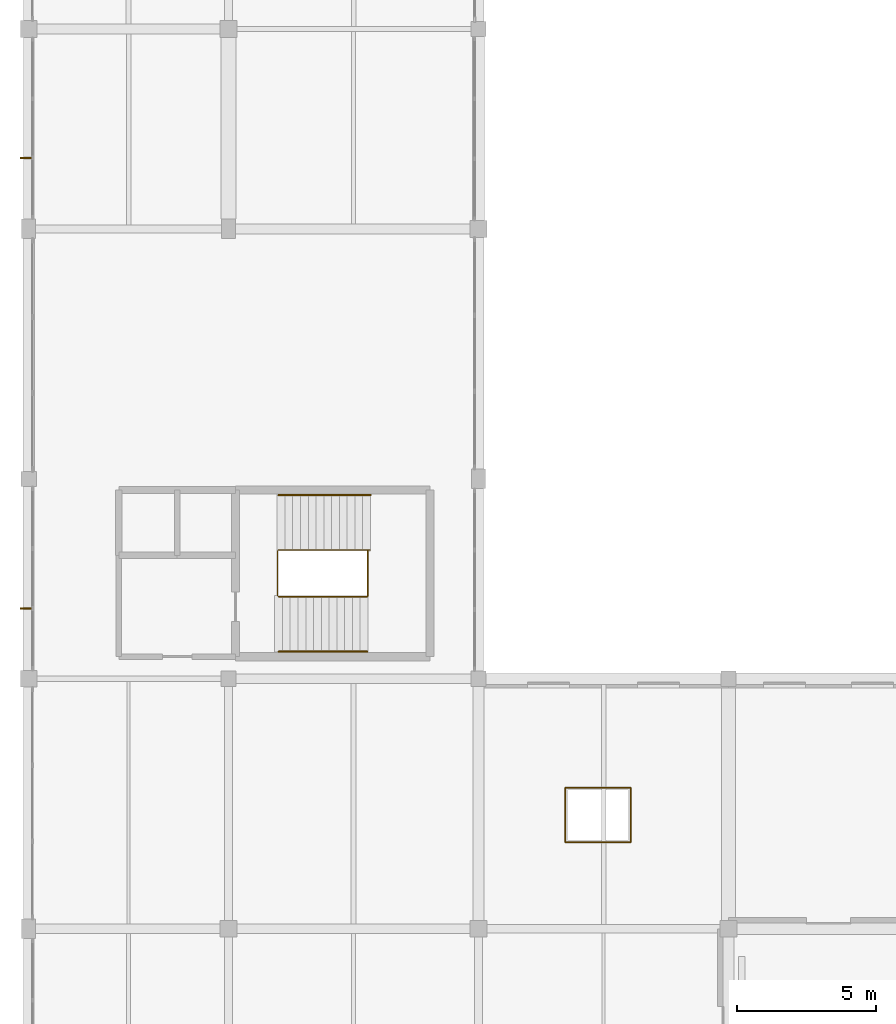
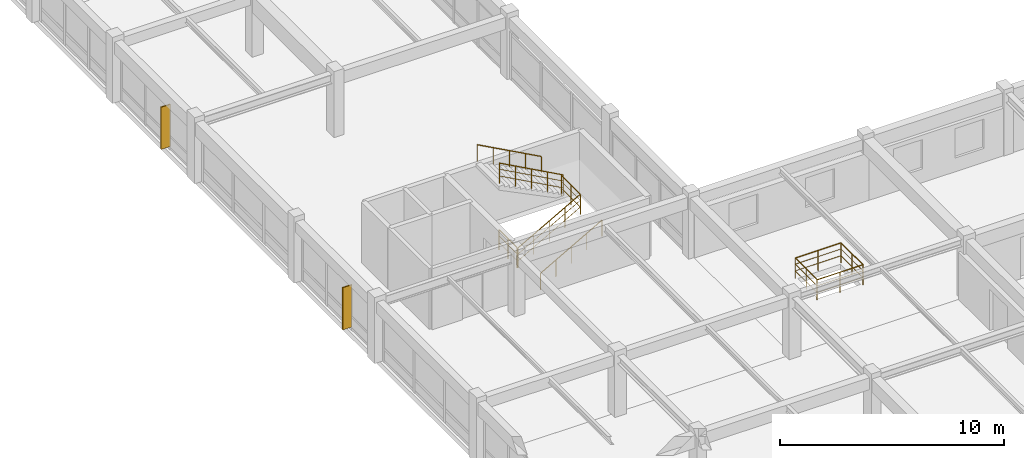
# One storey, part 66 of 74: 10 railings, 2 shading devices.
"""IFC4 building model written with IfcOpenShell, lengths in metres."""

from ifc_helpers import new_model, si_unit, direction, frame, frame_2d, origin, origin_2d, place, context, subcontext, project, spatial, rectangle, circle, extrude, material, layer, layer_set, type_object, element, save


model = new_model("IFC4")

# Units and contexts
model_context = context("Model", 3, precision=1e-05, world=origin(), true_north=direction((0.0, 1.0)))
body_context = subcontext(model_context, "Body", "Model", "MODEL_VIEW")
ifc_project = project(units=[si_unit("LENGTHUNIT", "METRE"), si_unit("AREAUNIT", "SQUARE_METRE"), si_unit("VOLUMEUNIT", "CUBIC_METRE"), si_unit("PLANEANGLEUNIT", "RADIAN"), si_unit("MASSUNIT", "GRAM", prefix="KILO")], contexts=[model_context])

# Site, building, storey
site_placement = place(None, origin())
site = spatial("IfcSite", under=ifc_project, at=site_placement, CompositionType="ELEMENT")
building_placement = place(site_placement, origin())
building = spatial("IfcBuilding", under=site, at=building_placement, Name="Clarverna Civic Hall", CompositionType="ELEMENT")
storey_placement = place(building_placement, frame((0.0, 0.0, 9.60009765625)))
storey = spatial("IfcBuildingStorey", under=building, at=storey_placement, Name="L02", CompositionType="ELEMENT", Elevation=9.60009765625)

# Railings
ifc_material_1 = material(Name="Anodised Bronze Architectural Balustrade")
railing_type_1 = type_object("IfcRailingType", Name="GR-02", PredefinedType="BALUSTRADE", material=ifc_material_1)
railing_1_placement = place(storey_placement, frame((9.0, 74.56005859375, 0.0)))
element("IfcRailing", 1, at=railing_1_placement, inside=storey, type_object=railing_type_1, Name="GR-02-207", PredefinedType="BALUSTRADE", context=body_context, shape_type="SweptSolid", body=[
    extrude(circle(Radius=0.02392578125, at=origin_2d()), frame((0.0, 0.0, 1.09619140625), z_axis=(0.87193006163, 0.0, 0.489630439849), x_axis=(0.0, 1.0, 0.0)), (0.0, 0.0, 1.0), 3.67578125),
    extrude(circle(Radius=0.011962890625, at=origin_2d()), frame((0.0, 0.0, 0.39208984375), z_axis=(0.87193006163, 0.0, 0.489630439849), x_axis=(0.0, 1.0, 0.0)), (0.0, 0.0, 1.0), 3.67578125),
    extrude(circle(Radius=0.011962890625, at=origin_2d()), frame((0.0, 0.0, 0.76171875), z_axis=(0.87193006163, 0.0, 0.489630439849), x_axis=(0.0, 1.0, 0.0)), (0.0, 0.0, 1.0), 3.67578125),
    extrude(circle(Radius=0.02099609375, at=origin_2d()), origin(), (0.0, 0.0, 1.0), 1.072021484375),
    extrude(circle(Radius=0.02099609375, at=origin_2d()), frame((0.80126953125, 0.0, 0.449951171875)), (0.0, 0.0, 1.0), 1.072021484375),
    extrude(circle(Radius=0.02099609375, at=origin_2d()), frame((1.6025390625, 0.0, 0.89990234375)), (0.0, 0.0, 1.0), 1.072021484375),
    extrude(circle(Radius=0.02099609375, at=origin_2d()), frame((2.40380859375, 0.0, 1.349853515625)), (0.0, 0.0, 1.0), 1.072021484375),
    extrude(circle(Radius=0.02099609375, at=origin_2d()), frame((3.205078125, 0.0, 1.7998046875)), (0.0, 0.0, 1.0), 1.072021484375),
])
railing_2_placement = place(storey_placement, frame((12.205078125, 74.56005859375, 1.7998046875)))
element("IfcRailing", 2, at=railing_2_placement, inside=storey, type_object=railing_type_1, Name="GR-02-208", PredefinedType="BALUSTRADE", context=body_context, shape_type="SweptSolid", body=[
    extrude(circle(Radius=0.02392578125, at=origin_2d()), frame((0.0, 0.0, 1.09619140625), z_axis=(0.0, 1.0, 0.0), x_axis=(-1.0, 0.0, 0.0)), (0.0, 0.0, 1.0), 1.679931640625),
    extrude(circle(Radius=0.011962890625, at=origin_2d()), frame((0.0, 0.0, 0.39208984375), z_axis=(0.0, 1.0, 0.0), x_axis=(-1.0, 0.0, 0.0)), (0.0, 0.0, 1.0), 1.679931640625),
    extrude(circle(Radius=0.011962890625, at=origin_2d()), frame((0.0, 0.0, 0.76171875), z_axis=(0.0, 1.0, 0.0), x_axis=(-1.0, 0.0, 0.0)), (0.0, 0.0, 1.0), 1.679931640625),
    extrude(circle(Radius=0.02099609375, at=origin_2d()), origin(), (0.0, 0.0, 1.0), 1.072021484375),
    extrude(circle(Radius=0.02099609375, at=origin_2d()), frame((0.0, 0.83984375, 0.0)), (0.0, 0.0, 1.0), 1.072021484375),
    extrude(circle(Radius=0.02099609375, at=origin_2d()), frame((0.0, 1.679931640625, 0.0)), (0.0, 0.0, 1.0), 1.072021484375),
])
railing_3_placement = place(storey_placement, frame((12.294921875, 76.239990234375, 1.7998046875)))
element("IfcRailing", 3, at=railing_3_placement, inside=storey, type_object=railing_type_1, Name="GR-02-209", PredefinedType="BALUSTRADE", context=body_context, shape_type="SweptSolid", body=[
    extrude(circle(Radius=0.02392578125, at=origin_2d()), frame((0.0, 0.0, 1.09619140625), z_axis=(-0.877579782342, 0.0, 0.479430626498), x_axis=(0.0, -1.0, 0.0)), (0.0, 0.0, 1.0), 3.754638671875),
    extrude(circle(Radius=0.011962890625, at=origin_2d()), frame((0.0, 0.0, 0.39208984375), z_axis=(-0.877579782342, 0.0, 0.479430626498), x_axis=(0.0, -1.0, 0.0)), (0.0, 0.0, 1.0), 3.754638671875),
    extrude(circle(Radius=0.011962890625, at=origin_2d()), frame((0.0, 0.0, 0.76171875), z_axis=(-0.877579782342, 0.0, 0.479430626498), x_axis=(0.0, -1.0, 0.0)), (0.0, 0.0, 1.0), 3.754638671875),
    extrude(circle(Radius=0.02099609375, at=origin_2d()), origin(), (0.0, 0.0, 1.0), 1.072021484375),
    extrude(circle(Radius=0.02099609375, at=origin_2d()), frame((-0.82373046875, 0.0, 0.449951171875)), (0.0, 0.0, 1.0), 1.072021484375),
    extrude(circle(Radius=0.02099609375, at=origin_2d()), frame((-1.6474609375, 0.0, 0.89990234375)), (0.0, 0.0, 1.0), 1.072021484375),
    extrude(circle(Radius=0.02099609375, at=origin_2d()), frame((-2.47119140625, 0.0, 1.35009765625)), (0.0, 0.0, 1.0), 1.072021484375),
    extrude(circle(Radius=0.02099609375, at=origin_2d()), frame((-3.294921875, 0.0, 1.800048828125)), (0.0, 0.0, 1.0), 1.072021484375),
])
railing_4_placement = place(storey_placement, frame((8.9599609375, 74.60009765625, 0.0)))
element("IfcRailing", 4, at=railing_4_placement, inside=storey, type_object=railing_type_1, Name="GR-02-210", PredefinedType="BALUSTRADE", context=body_context, shape_type="SweptSolid", body=[
    extrude(circle(Radius=0.02392578125, at=origin_2d()), frame((0.0, 0.0, 1.09619140625), z_axis=(0.0, 1.0, 0.0), x_axis=(-1.0, 0.0, 0.0)), (0.0, 0.0, 1.0), 1.599853515625),
    extrude(circle(Radius=0.011962890625, at=origin_2d()), frame((0.0, 0.0, 0.39208984375), z_axis=(0.0, 1.0, 0.0), x_axis=(-1.0, 0.0, 0.0)), (0.0, 0.0, 1.0), 1.599853515625),
    extrude(circle(Radius=0.011962890625, at=origin_2d()), frame((0.0, 0.0, 0.76171875), z_axis=(0.0, 1.0, 0.0), x_axis=(-1.0, 0.0, 0.0)), (0.0, 0.0, 1.0), 1.599853515625),
    extrude(circle(Radius=0.02099609375, at=origin_2d()), origin(), (0.0, 0.0, 1.0), 1.072021484375),
    extrude(circle(Radius=0.02099609375, at=origin_2d()), frame((0.0, 0.7998046875, 0.0)), (0.0, 0.0, 1.0), 1.072021484375),
    extrude(circle(Radius=0.02099609375, at=origin_2d()), frame((0.0, 1.599853515625, 0.0)), (0.0, 0.0, 1.0), 1.072021484375),
])
railing_5_placement = place(storey_placement, frame((19.320068359375, 65.719970703125, 0.0)))
element("IfcRailing", 5, at=railing_5_placement, inside=storey, type_object=railing_type_1, Name="GR-02-232", PredefinedType="BALUSTRADE", context=body_context, shape_type="SweptSolid", body=[
    extrude(circle(Radius=0.02392578125, at=origin_2d()), frame((0.0, 0.0, 1.09619140625), z_axis=(0.0, 1.0, 0.0), x_axis=(-1.0, 0.0, 0.0)), (0.0, 0.0, 1.0), 1.9599609375),
    extrude(circle(Radius=0.011962890625, at=origin_2d()), frame((0.0, 0.0, 0.39208984375), z_axis=(0.0, 1.0, 0.0), x_axis=(-1.0, 0.0, 0.0)), (0.0, 0.0, 1.0), 1.9599609375),
    extrude(circle(Radius=0.011962890625, at=origin_2d()), frame((0.0, 0.0, 0.76171875), z_axis=(0.0, 1.0, 0.0), x_axis=(-1.0, 0.0, 0.0)), (0.0, 0.0, 1.0), 1.9599609375),
    extrude(circle(Radius=0.02099609375, at=origin_2d()), origin(), (0.0, 0.0, 1.0), 1.072021484375),
    extrude(circle(Radius=0.02099609375, at=origin_2d()), frame((0.0, 0.97998046875, 0.0)), (0.0, 0.0, 1.0), 1.072021484375),
    extrude(circle(Radius=0.02099609375, at=origin_2d()), frame((0.0, 1.9599609375, 0.0)), (0.0, 0.0, 1.0), 1.072021484375),
])
railing_6_placement = place(storey_placement, frame((19.320068359375, 67.679931640625, 0.0)))
element("IfcRailing", 6, at=railing_6_placement, inside=storey, type_object=railing_type_1, Name="GR-02-233", PredefinedType="BALUSTRADE", context=body_context, shape_type="SweptSolid", body=[
    extrude(circle(Radius=0.02392578125, at=origin_2d()), frame((0.0, 0.0, 1.09619140625), z_axis=(1.0, 0.0, 0.0), x_axis=(0.0, 1.0, 0.0)), (0.0, 0.0, 1.0), 2.35986328125),
    extrude(circle(Radius=0.011962890625, at=origin_2d()), frame((0.0, 0.0, 0.39208984375), z_axis=(1.0, 0.0, 0.0), x_axis=(0.0, 1.0, 0.0)), (0.0, 0.0, 1.0), 2.35986328125),
    extrude(circle(Radius=0.011962890625, at=origin_2d()), frame((0.0, 0.0, 0.76171875), z_axis=(1.0, 0.0, 0.0), x_axis=(0.0, 1.0, 0.0)), (0.0, 0.0, 1.0), 2.35986328125),
    extrude(circle(Radius=0.02099609375, at=origin_2d()), origin(), (0.0, 0.0, 1.0), 1.072021484375),
    extrude(circle(Radius=0.02099609375, at=origin_2d()), frame((1.179931640625, 0.0, 0.0)), (0.0, 0.0, 1.0), 1.072021484375),
    extrude(circle(Radius=0.02099609375, at=origin_2d()), frame((2.35986328125, 0.0, 0.0)), (0.0, 0.0, 1.0), 1.072021484375),
])
railing_7_placement = place(storey_placement, frame((21.679931640625, 67.679931640625, 0.0)))
element("IfcRailing", 7, at=railing_7_placement, inside=storey, type_object=railing_type_1, Name="GR-02-234", PredefinedType="BALUSTRADE", context=body_context, shape_type="SweptSolid", body=[
    extrude(circle(Radius=0.02392578125, at=origin_2d()), frame((0.0, 0.0, 1.09619140625), z_axis=(0.0, -1.0, 0.0), x_axis=(1.0, 0.0, 0.0)), (0.0, 0.0, 1.0), 1.9599609375),
    extrude(circle(Radius=0.011962890625, at=origin_2d()), frame((0.0, 0.0, 0.39208984375), z_axis=(0.0, -1.0, 0.0), x_axis=(1.0, 0.0, 0.0)), (0.0, 0.0, 1.0), 1.9599609375),
    extrude(circle(Radius=0.011962890625, at=origin_2d()), frame((0.0, 0.0, 0.76171875), z_axis=(0.0, -1.0, 0.0), x_axis=(1.0, 0.0, 0.0)), (0.0, 0.0, 1.0), 1.9599609375),
    extrude(circle(Radius=0.02099609375, at=origin_2d()), origin(), (0.0, 0.0, 1.0), 1.072021484375),
    extrude(circle(Radius=0.02099609375, at=origin_2d()), frame((0.0, -0.97998046875, 0.0)), (0.0, 0.0, 1.0), 1.072021484375),
    extrude(circle(Radius=0.02099609375, at=origin_2d()), frame((0.0, -1.9599609375, 0.0)), (0.0, 0.0, 1.0), 1.072021484375),
])
railing_8_placement = place(storey_placement, frame((21.679931640625, 65.719970703125, 0.0)))
element("IfcRailing", 8, at=railing_8_placement, inside=storey, type_object=railing_type_1, Name="GR-02-235", PredefinedType="BALUSTRADE", context=body_context, shape_type="SweptSolid", body=[
    extrude(circle(Radius=0.02392578125, at=origin_2d()), frame((0.0, 0.0, 1.09619140625), z_axis=(-1.0, 0.0, 0.0), x_axis=(0.0, -1.0, 0.0)), (0.0, 0.0, 1.0), 2.35986328125),
    extrude(circle(Radius=0.011962890625, at=origin_2d()), frame((0.0, 0.0, 0.39208984375), z_axis=(-1.0, 0.0, 0.0), x_axis=(0.0, -1.0, 0.0)), (0.0, 0.0, 1.0), 2.35986328125),
    extrude(circle(Radius=0.011962890625, at=origin_2d()), frame((0.0, 0.0, 0.76171875), z_axis=(-1.0, 0.0, 0.0), x_axis=(0.0, -1.0, 0.0)), (0.0, 0.0, 1.0), 2.35986328125),
    extrude(circle(Radius=0.02099609375, at=origin_2d()), origin(), (0.0, 0.0, 1.0), 1.072021484375),
    extrude(circle(Radius=0.02099609375, at=origin_2d()), frame((-1.179931640625, 0.0, 0.0)), (0.0, 0.0, 1.0), 1.072021484375),
    extrude(circle(Radius=0.02099609375, at=origin_2d()), frame((-2.35986328125, 0.0, 0.0)), (0.0, 0.0, 1.0), 1.072021484375),
])
ifc_material_2 = material(Name="Anodised Bronze Continuous Handrail")
railing_type_2 = type_object("IfcRailingType", Name="HR-01", PredefinedType="HANDRAIL", material=ifc_material_2)
railing_9_placement = place(storey_placement, frame((9.0, 72.580078125, 0.0)))
element("IfcRailing", 9, at=railing_9_placement, inside=storey, type_object=railing_type_2, Name="HR-01-103", PredefinedType="HANDRAIL", context=body_context, shape_type="SweptSolid", body=[
    extrude(circle(Radius=0.02392578125, at=origin_2d()), frame((0.0, 0.0, 0.89599609375), z_axis=(0.870937506535, 0.0, 0.491393792911), x_axis=(0.0, 1.0, 0.0)), (0.0, 0.0, 1.0), 3.66259765625),
    extrude(circle(Radius=0.02099609375, at=origin_2d()), origin(), (0.0, 0.0, 1.0), 0.871826171875),
    extrude(circle(Radius=0.02099609375, at=origin_2d()), frame((0.79736328125, 0.0, 0.449951171875)), (0.0, 0.0, 1.0), 0.871826171875),
    extrude(circle(Radius=0.02099609375, at=origin_2d()), frame((1.594970703125, 0.0, 0.89990234375)), (0.0, 0.0, 1.0), 0.871826171875),
    extrude(circle(Radius=0.02099609375, at=origin_2d()), frame((2.392578125, 0.0, 1.349853515625)), (0.0, 0.0, 1.0), 0.871826171875),
    extrude(circle(Radius=0.02099609375, at=origin_2d()), frame((3.18994140625, 0.0, 1.7998046875)), (0.0, 0.0, 1.0), 0.871826171875),
])
railing_10_placement = place(storey_placement, frame((12.31005859375, 78.219970703125, 1.7998046875)))
element("IfcRailing", 10, at=railing_10_placement, inside=storey, type_object=railing_type_2, Name="HR-01-104", PredefinedType="HANDRAIL", context=body_context, shape_type="SweptSolid", body=[
    extrude(circle(Radius=0.02392578125, at=origin_2d()), frame((0.0, 0.0, 0.89599609375), z_axis=(-0.878501555178, 0.0, 0.477739487116), x_axis=(0.0, -1.0, 0.0)), (0.0, 0.0, 1.0), 3.767822265625),
    extrude(circle(Radius=0.02099609375, at=origin_2d()), origin(), (0.0, 0.0, 1.0), 0.871826171875),
    extrude(circle(Radius=0.02099609375, at=origin_2d()), frame((-0.82763671875, 0.0, 0.449951171875)), (0.0, 0.0, 1.0), 0.871826171875),
    extrude(circle(Radius=0.02099609375, at=origin_2d()), frame((-1.655029296875, 0.0, 0.89990234375)), (0.0, 0.0, 1.0), 0.871826171875),
    extrude(circle(Radius=0.02099609375, at=origin_2d()), frame((-2.482421875, 0.0, 1.35009765625)), (0.0, 0.0, 1.0), 0.871826171875),
    extrude(circle(Radius=0.02099609375, at=origin_2d()), frame((-3.31005859375, 0.0, 1.800048828125)), (0.0, 0.0, 1.0), 0.871826171875),
])

# Shading devices
ifc_material_3 = material(Name="Anodised Bronze Architectural Solar Fin", Category="aluminium")
ifc_layer = layer(ifc_material_3, 0.054931640625)
ifc_layer_set = layer_set([ifc_layer], Name="Anodised Bronze Architectural Solar Fin")
shading_device_type = type_object("IfcShadingDeviceType", Name="SD-FN1", PredefinedType="USERDEFINED", material=ifc_layer_set)
for number, where, z_axis, x_axis, name in (
    (11, (0.169921875, 74.1328125, 0.14990234375), (0.0, 0.0, 1.0), (-1.0, 0.0, 0.0), "SD-FN1-012"),
    (12, (0.169921875, 90.357666015625, 0.14990234375), (0.0, 0.0, 1.0), (-1.0, 0.0, 0.0), "SD-FN1-013"),
):
    element("IfcShadingDevice", number, at=place(storey_placement, frame(where, z_axis=z_axis, x_axis=x_axis)), inside=storey, type_object=shading_device_type, Name=name, ObjectType="FIN", PredefinedType="USERDEFINED", context=body_context, shape_type="SweptSolid", body=[
        extrude(rectangle(XDim=0.47998046875, YDim=0.054931640625, at=frame_2d((0.239990234375, 0.0))), origin(), (0.0, 0.0, 1.0), 2.300048828125),
    ])

save(model, "model.ifc")
